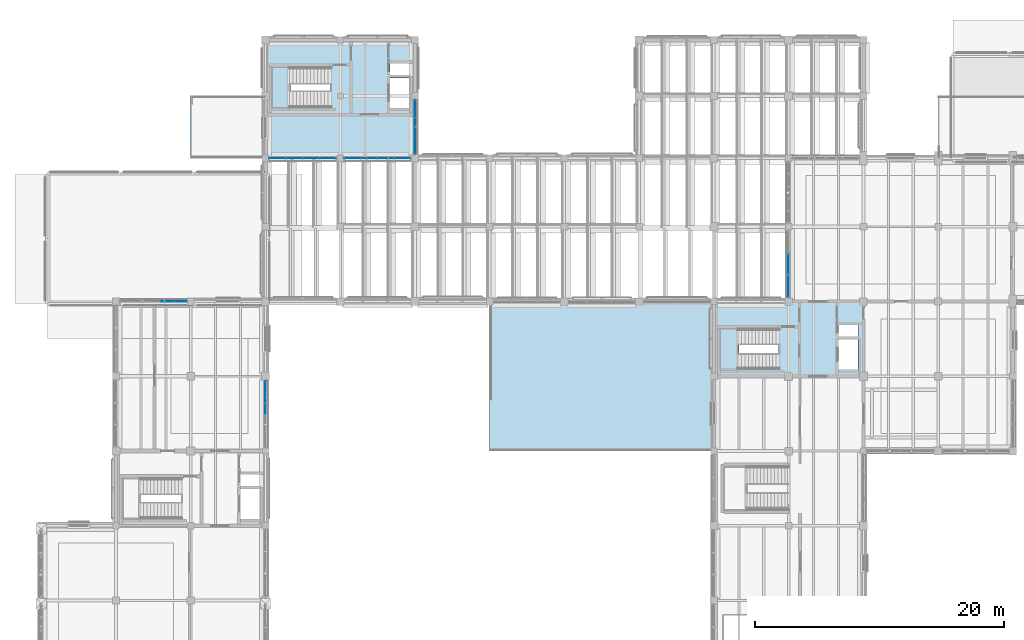
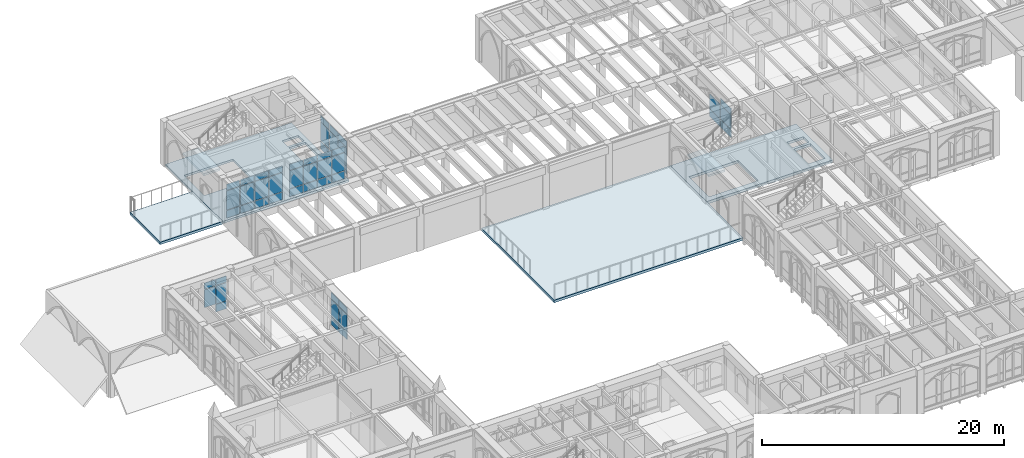
# One storey, part 68 of 127: 49 plates, 6 slabs, 8 elements without a shape of their own.
"""IFC4 building model written with IfcOpenShell, lengths in metres."""

from ifc_helpers import new_model, si_unit, direction, frame, origin, origin_2d, place, context, subcontext, project, spatial, polyline, rectangle, outline, extrude, material, layer, layer_set, type_object, element, aggregate, save


model = new_model("IFC4")

# Units and contexts
model_context = context("Model", 3, precision=1e-05, world=origin(), true_north=direction((0.0, 1.0)))
body_context = subcontext(model_context, "Body", "Model", "MODEL_VIEW")
ifc_project = project(units=[si_unit("LENGTHUNIT", "METRE"), si_unit("AREAUNIT", "SQUARE_METRE"), si_unit("VOLUMEUNIT", "CUBIC_METRE"), si_unit("PLANEANGLEUNIT", "RADIAN"), si_unit("MASSUNIT", "GRAM", prefix="KILO")], contexts=[model_context])

# Site, building, storey
site_placement = place(None, origin())
site = spatial("IfcSite", under=ifc_project, at=site_placement, CompositionType="ELEMENT")
building_placement = place(site_placement, origin())
building = spatial("IfcBuilding", under=site, at=building_placement, Name="Cumevento Cable Car Station", CompositionType="ELEMENT")
storey_placement = place(building_placement, frame((0.0, 0.0, 4.5)))
storey = spatial("IfcBuildingStorey", under=building, at=storey_placement, Name="L02", CompositionType="ELEMENT", Elevation=4.5)

# Slabs
ifc_material_1 = material(Name="Concrete C40/50", Category="concrete")
ifc_layer_1 = layer(ifc_material_1, 0.2119140625)
ifc_layer_set_1 = layer_set([ifc_layer_1], Name="Concrete C40/50")
slab_type_1 = type_object("IfcSlabType", Name="Concrete Deck FS-212 212", PredefinedType="FLOOR", material=ifc_layer_set_1)
slab_1_placement = place(storey_placement, frame((0.0, 0.0, -0.2119140625)))
element("IfcSlab", 1, at=slab_1_placement, inside=storey, type_object=slab_type_1, Name="Floor Slab FS-212 L02 B_V6d.1", PredefinedType="FLOOR", context=body_context, shape_type="SweptSolid", body=[
    extrude(outline(polyline([(22.0, 56.5), (34.0, 56.5), (34.0, 66.0), (22.0, 66.0), (22.0, 56.5)]), holes=[polyline([(32.010009765625, 60.5400390625), (33.580078125, 60.5400390625), (33.580078125, 62.9599609375), (32.010009765625, 62.9599609375), (32.010009765625, 60.5400390625)]), polyline([(22.52001953125, 60.52001953125), (27.199951171875, 60.52001953125), (27.199951171875, 63.85009765625), (22.52001953125, 63.85009765625), (22.52001953125, 60.52001953125)]), polyline([(32.010009765625, 63.199951171875), (33.580078125, 63.199951171875), (33.580078125, 64.10009765625), (32.010009765625, 64.10009765625), (32.010009765625, 63.199951171875)])]), origin(), (0.0, 0.0, 1.0), 0.2119140625),
])
ifc_material_2 = material(Name="Concrete C40/50", Category="concrete")
ifc_layer_2 = layer(ifc_material_2, 0.260009765625)
ifc_layer_set_2 = layer_set([ifc_layer_2], Name="Concrete C40/50")
slab_type_2 = type_object("IfcSlabType", Name="Concrete Deck FS-260 260", PredefinedType="FLOOR", material=ifc_layer_set_2)
slab_2_placement = place(storey_placement, frame((0.0, 0.0, -0.260009765625)))
element("IfcSlab", 2, at=slab_2_placement, inside=storey, type_object=slab_type_2, Name="Floor Slab FS-260 L02 B_V2c.1", PredefinedType="FLOOR", context=body_context, shape_type="SweptSolid", body=[
    extrude(outline(polyline([(58.0, 39.0), (70.0, 39.0), (70.0, 45.0), (58.0, 45.0), (58.0, 39.0)]), holes=[polyline([(68.010009765625, 39.5400390625), (69.580078125, 39.5400390625), (69.580078125, 41.9599609375), (68.010009765625, 41.9599609375), (68.010009765625, 39.5400390625)]), polyline([(58.52001953125, 39.52001953125), (63.199951171875, 39.52001953125), (63.199951171875, 42.85009765625), (58.52001953125, 42.85009765625), (58.52001953125, 39.52001953125)]), polyline([(68.010009765625, 42.199951171875), (69.580078125, 42.199951171875), (69.580078125, 43.10009765625), (68.010009765625, 43.10009765625), (68.010009765625, 42.199951171875)])]), origin(), (0.0, 0.0, 1.0), 0.260009765625),
])

# Curtain wall, plates
ifc_material_3 = material(Name="Anodised Bronze Aluminium AW-6063-T6", Category="aluminium")
ifc_layer_3 = layer(ifc_material_3, 0.2080078125)
ifc_layer_set_3 = layer_set([ifc_layer_3], Name="Anodised Bronze Aluminium AW-6063-T6")
curtain_wall_type_1 = type_object("IfcCurtainWallType", Name="Lancet Curtain Wall CW-09 1370", PredefinedType="NOTDEFINED", material=ifc_layer_set_3)
curtain_wall_1_placement = place(storey_placement, origin())
curtain_wall_1 = element("IfcCurtainWall", 3, at=curtain_wall_1_placement, inside=storey, type_object=curtain_wall_type_1, Name="Lancet Curtain Wall CW-09 L02 #56", PredefinedType="NOTDEFINED")
ifc_material_4 = material(Name="Solar Control Laminated Double Glazing", Category="glass")
ifc_layer_4 = layer(ifc_material_4, 0.02197265625)
ifc_layer_set_4 = layer_set([ifc_layer_4], Name="Solar Control Laminated Double Glazing")
plate_type_1 = type_object("IfcPlateType", Name="Glazed Panel CWP-01 22", PredefinedType="CURTAIN_PANEL", material=ifc_layer_set_4)
plate_1_placement = place(storey_placement, frame((27.0244140625, 56.5, 0.22509765625), z_axis=(0.0, 0.0, 1.0), x_axis=(-1.0, 0.0, 0.0)))
plate_1 = element("IfcPlate", 4, at=plate_1_placement, type_object=plate_type_1, Name="CW-09 panel 1.1", PredefinedType="CURTAIN_PANEL", context=body_context, shape_type="SweptSolid", body=[
    extrude(rectangle(XDim=1.271240234375, YDim=0.02197265625, at=origin_2d()), origin(), (0.0, 0.0, 1.0), 0.75244140625),
])
plate_2_placement = place(storey_placement, frame((27.0244140625, 56.5, 1.04248046875), z_axis=(0.0, 0.0, 1.0), x_axis=(-1.0, 0.0, 0.0)))
plate_2 = element("IfcPlate", 5, at=plate_2_placement, type_object=plate_type_1, Name="CW-09 panel 1.2", PredefinedType="CURTAIN_PANEL", context=body_context, shape_type="SweptSolid", body=[
    extrude(rectangle(XDim=1.271240234375, YDim=0.02197265625, at=origin_2d()), origin(), (0.0, 0.0, 1.0), 1.912109375),
])
plate_3_placement = place(storey_placement, frame((27.0244140625, 56.5, 3.01953125), z_axis=(0.0, 0.0, 1.0), x_axis=(-1.0, 0.0, 0.0)))
plate_3 = element("IfcPlate", 6, at=plate_3_placement, type_object=plate_type_1, Name="CW-09 panel 1.3", PredefinedType="CURTAIN_PANEL", context=body_context, shape_type="SweptSolid", body=[
    extrude(rectangle(XDim=1.271240234375, YDim=0.02197265625, at=origin_2d()), origin(), (0.0, 0.0, 1.0), 0.6025390625),
])
plate_4_placement = place(storey_placement, frame((25.671875, 56.5, 0.22509765625), z_axis=(0.0, 0.0, 1.0), x_axis=(-1.0, 0.0, 0.0)))
plate_4 = element("IfcPlate", 7, at=plate_4_placement, type_object=plate_type_1, Name="CW-09 panel 2.1", PredefinedType="CURTAIN_PANEL", context=body_context, shape_type="SweptSolid", body=[
    extrude(rectangle(XDim=1.3037109375, YDim=0.02197265625, at=origin_2d()), origin(), (0.0, 0.0, 1.0), 0.75244140625),
])
plate_5_placement = place(storey_placement, frame((25.671875, 56.5, 1.04248046875), z_axis=(0.0, 0.0, 1.0), x_axis=(-1.0, 0.0, 0.0)))
plate_5 = element("IfcPlate", 8, at=plate_5_placement, type_object=plate_type_1, Name="CW-09 panel 2.2", PredefinedType="CURTAIN_PANEL", context=body_context, shape_type="SweptSolid", body=[
    extrude(rectangle(XDim=1.3037109375, YDim=0.02197265625, at=origin_2d()), origin(), (0.0, 0.0, 1.0), 1.912109375),
])
plate_6_placement = place(storey_placement, frame((25.671875, 56.5, 3.01953125), z_axis=(0.0, 0.0, 1.0), x_axis=(-1.0, 0.0, 0.0)))
plate_6 = element("IfcPlate", 9, at=plate_6_placement, type_object=plate_type_1, Name="CW-09 panel 2.3", PredefinedType="CURTAIN_PANEL", context=body_context, shape_type="SweptSolid", body=[
    extrude(rectangle(XDim=1.3037109375, YDim=0.02197265625, at=origin_2d()), origin(), (0.0, 0.0, 1.0), 0.6025390625),
])
plate_7_placement = place(storey_placement, frame((24.30322265625, 56.5, 0.22509765625), z_axis=(0.0, 0.0, 1.0), x_axis=(-1.0, 0.0, 0.0)))
plate_7 = element("IfcPlate", 10, at=plate_7_placement, type_object=plate_type_1, Name="CW-09 panel 3.1", PredefinedType="CURTAIN_PANEL", context=body_context, shape_type="SweptSolid", body=[
    extrude(rectangle(XDim=1.3037109375, YDim=0.02197265625, at=origin_2d()), origin(), (0.0, 0.0, 1.0), 0.75244140625),
])
plate_8_placement = place(storey_placement, frame((24.30322265625, 56.5, 1.04248046875), z_axis=(0.0, 0.0, 1.0), x_axis=(-1.0, 0.0, 0.0)))
plate_8 = element("IfcPlate", 11, at=plate_8_placement, type_object=plate_type_1, Name="CW-09 panel 3.2", PredefinedType="CURTAIN_PANEL", context=body_context, shape_type="SweptSolid", body=[
    extrude(rectangle(XDim=1.3037109375, YDim=0.02197265625, at=origin_2d()), origin(), (0.0, 0.0, 1.0), 1.912109375),
])
plate_9_placement = place(storey_placement, frame((24.30322265625, 56.5, 3.01953125), z_axis=(0.0, 0.0, 1.0), x_axis=(-1.0, 0.0, 0.0)))
plate_9 = element("IfcPlate", 12, at=plate_9_placement, type_object=plate_type_1, Name="CW-09 panel 3.3", PredefinedType="CURTAIN_PANEL", context=body_context, shape_type="SweptSolid", body=[
    extrude(rectangle(XDim=1.3037109375, YDim=0.02197265625, at=origin_2d()), origin(), (0.0, 0.0, 1.0), 0.6025390625),
])
plate_10_placement = place(storey_placement, frame((22.95068359375, 56.5, 0.22509765625), z_axis=(0.0, 0.0, 1.0), x_axis=(-1.0, 0.0, 0.0)))
plate_10 = element("IfcPlate", 13, at=plate_10_placement, type_object=plate_type_1, Name="CW-09 panel 4.1", PredefinedType="CURTAIN_PANEL", context=body_context, shape_type="SweptSolid", body=[
    extrude(rectangle(XDim=1.271240234375, YDim=0.02197265625, at=origin_2d()), origin(), (0.0, 0.0, 1.0), 0.75244140625),
])
plate_11_placement = place(storey_placement, frame((22.95068359375, 56.5, 1.04248046875), z_axis=(0.0, 0.0, 1.0), x_axis=(-1.0, 0.0, 0.0)))
plate_11 = element("IfcPlate", 14, at=plate_11_placement, type_object=plate_type_1, Name="CW-09 panel 4.2", PredefinedType="CURTAIN_PANEL", context=body_context, shape_type="SweptSolid", body=[
    extrude(rectangle(XDim=1.271240234375, YDim=0.02197265625, at=origin_2d()), origin(), (0.0, 0.0, 1.0), 1.912109375),
])
plate_12_placement = place(storey_placement, frame((22.95068359375, 56.5, 3.01953125), z_axis=(0.0, 0.0, 1.0), x_axis=(-1.0, 0.0, 0.0)))
plate_12 = element("IfcPlate", 15, at=plate_12_placement, type_object=plate_type_1, Name="CW-09 panel 4.3", PredefinedType="CURTAIN_PANEL", context=body_context, shape_type="SweptSolid", body=[
    extrude(rectangle(XDim=1.271240234375, YDim=0.02197265625, at=origin_2d()), origin(), (0.0, 0.0, 1.0), 0.6025390625),
])
aggregate(curtain_wall_1, [plate_1, plate_2, plate_3, plate_4, plate_5, plate_6, plate_7, plate_8, plate_9, plate_10, plate_11, plate_12])

ifc_material_5 = material(Name="Anodised Bronze Aluminium AW-6063-T6", Category="aluminium")
ifc_layer_5 = layer(ifc_material_5, 0.214111328125)
ifc_layer_set_5 = layer_set([ifc_layer_5], Name="Anodised Bronze Aluminium AW-6063-T6")
curtain_wall_type_2 = type_object("IfcCurtainWallType", Name="Lancet Curtain Wall CW-10 1410", PredefinedType="NOTDEFINED", material=ifc_layer_set_5)
curtain_wall_2_placement = place(storey_placement, origin())
curtain_wall_2 = element("IfcCurtainWall", 16, at=curtain_wall_2_placement, inside=storey, type_object=curtain_wall_type_2, Name="Lancet Curtain Wall CW-10 L02 #57", PredefinedType="NOTDEFINED")
ifc_material_6 = material(Name="Solar Control Laminated Double Glazing", Category="glass")
ifc_layer_6 = layer(ifc_material_6, 0.02587890625)
ifc_layer_set_6 = layer_set([ifc_layer_6], Name="Solar Control Laminated Double Glazing")
plate_type_2 = type_object("IfcPlateType", Name="Glazed Panel CWP-02 26", PredefinedType="CURTAIN_PANEL", material=ifc_layer_set_6)
plate_13_placement = place(storey_placement, frame((33.005615234375, 56.5, 0.275146484375), z_axis=(0.0, 0.0, 1.0), x_axis=(-1.0, 0.0, 0.0)))
plate_13 = element("IfcPlate", 17, at=plate_13_placement, type_object=plate_type_2, Name="CW-10 panel 1.1", PredefinedType="CURTAIN_PANEL", context=body_context, shape_type="SweptSolid", body=[
    extrude(rectangle(XDim=1.2587890625, YDim=0.02587890625, at=origin_2d()), origin(), (0.0, 0.0, 1.0), 0.75244140625),
])
plate_14_placement = place(storey_placement, frame((33.005615234375, 56.5, 1.0927734375), z_axis=(0.0, 0.0, 1.0), x_axis=(-1.0, 0.0, 0.0)))
plate_14 = element("IfcPlate", 18, at=plate_14_placement, type_object=plate_type_2, Name="CW-10 panel 1.2", PredefinedType="CURTAIN_PANEL", context=body_context, shape_type="SweptSolid", body=[
    extrude(rectangle(XDim=1.2587890625, YDim=0.02587890625, at=origin_2d()), origin(), (0.0, 0.0, 1.0), 1.785888671875),
])
plate_15_placement = place(storey_placement, frame((33.005615234375, 56.5, 2.943359375), z_axis=(0.0, 0.0, 1.0), x_axis=(-1.0, 0.0, 0.0)))
plate_15 = element("IfcPlate", 19, at=plate_15_placement, type_object=plate_type_2, Name="CW-10 panel 1.3", PredefinedType="CURTAIN_PANEL", context=body_context, shape_type="SweptSolid", body=[
    extrude(rectangle(XDim=1.2587890625, YDim=0.02587890625, at=origin_2d()), origin(), (0.0, 0.0, 1.0), 0.6025390625),
])
plate_16_placement = place(storey_placement, frame((31.66552734375, 56.5, 0.275146484375), z_axis=(0.0, 0.0, 1.0), x_axis=(-1.0, 0.0, 0.0)))
plate_16 = element("IfcPlate", 20, at=plate_16_placement, type_object=plate_type_2, Name="CW-10 panel 2.1", PredefinedType="CURTAIN_PANEL", context=body_context, shape_type="SweptSolid", body=[
    extrude(rectangle(XDim=1.291259765625, YDim=0.02587890625, at=origin_2d()), origin(), (0.0, 0.0, 1.0), 0.75244140625),
])
plate_17_placement = place(storey_placement, frame((31.66552734375, 56.5, 1.0927734375), z_axis=(0.0, 0.0, 1.0), x_axis=(-1.0, 0.0, 0.0)))
plate_17 = element("IfcPlate", 21, at=plate_17_placement, type_object=plate_type_2, Name="CW-10 panel 2.2", PredefinedType="CURTAIN_PANEL", context=body_context, shape_type="SweptSolid", body=[
    extrude(rectangle(XDim=1.291259765625, YDim=0.02587890625, at=origin_2d()), origin(), (0.0, 0.0, 1.0), 1.785888671875),
])
plate_18_placement = place(storey_placement, frame((31.66552734375, 56.5, 2.943359375), z_axis=(0.0, 0.0, 1.0), x_axis=(-1.0, 0.0, 0.0)))
plate_18 = element("IfcPlate", 22, at=plate_18_placement, type_object=plate_type_2, Name="CW-10 panel 2.3", PredefinedType="CURTAIN_PANEL", context=body_context, shape_type="SweptSolid", body=[
    extrude(rectangle(XDim=1.291259765625, YDim=0.02587890625, at=origin_2d()), origin(), (0.0, 0.0, 1.0), 0.6025390625),
])
plate_19_placement = place(storey_placement, frame((30.309326171875, 56.5, 0.275146484375), z_axis=(0.0, 0.0, 1.0), x_axis=(-1.0, 0.0, 0.0)))
plate_19 = element("IfcPlate", 23, at=plate_19_placement, type_object=plate_type_2, Name="CW-10 panel 3.1", PredefinedType="CURTAIN_PANEL", context=body_context, shape_type="SweptSolid", body=[
    extrude(rectangle(XDim=1.291259765625, YDim=0.02587890625, at=origin_2d()), origin(), (0.0, 0.0, 1.0), 0.75244140625),
])
plate_20_placement = place(storey_placement, frame((30.309326171875, 56.5, 1.0927734375), z_axis=(0.0, 0.0, 1.0), x_axis=(-1.0, 0.0, 0.0)))
plate_20 = element("IfcPlate", 24, at=plate_20_placement, type_object=plate_type_2, Name="CW-10 panel 3.2", PredefinedType="CURTAIN_PANEL", context=body_context, shape_type="SweptSolid", body=[
    extrude(rectangle(XDim=1.291259765625, YDim=0.02587890625, at=origin_2d()), origin(), (0.0, 0.0, 1.0), 1.785888671875),
])
plate_21_placement = place(storey_placement, frame((30.309326171875, 56.5, 2.943359375), z_axis=(0.0, 0.0, 1.0), x_axis=(-1.0, 0.0, 0.0)))
plate_21 = element("IfcPlate", 25, at=plate_21_placement, type_object=plate_type_2, Name="CW-10 panel 3.3", PredefinedType="CURTAIN_PANEL", context=body_context, shape_type="SweptSolid", body=[
    extrude(rectangle(XDim=1.291259765625, YDim=0.02587890625, at=origin_2d()), origin(), (0.0, 0.0, 1.0), 0.6025390625),
])
plate_22_placement = place(storey_placement, frame((28.969482421875, 56.5, 0.275146484375), z_axis=(0.0, 0.0, 1.0), x_axis=(-1.0, 0.0, 0.0)))
plate_22 = element("IfcPlate", 26, at=plate_22_placement, type_object=plate_type_2, Name="CW-10 panel 4.1", PredefinedType="CURTAIN_PANEL", context=body_context, shape_type="SweptSolid", body=[
    extrude(rectangle(XDim=1.2587890625, YDim=0.02587890625, at=origin_2d()), origin(), (0.0, 0.0, 1.0), 0.75244140625),
])
plate_23_placement = place(storey_placement, frame((28.969482421875, 56.5, 1.0927734375), z_axis=(0.0, 0.0, 1.0), x_axis=(-1.0, 0.0, 0.0)))
plate_23 = element("IfcPlate", 27, at=plate_23_placement, type_object=plate_type_2, Name="CW-10 panel 4.2", PredefinedType="CURTAIN_PANEL", context=body_context, shape_type="SweptSolid", body=[
    extrude(rectangle(XDim=1.2587890625, YDim=0.02587890625, at=origin_2d()), origin(), (0.0, 0.0, 1.0), 1.785888671875),
])
plate_24_placement = place(storey_placement, frame((28.969482421875, 56.5, 2.943359375), z_axis=(0.0, 0.0, 1.0), x_axis=(-1.0, 0.0, 0.0)))
plate_24 = element("IfcPlate", 28, at=plate_24_placement, type_object=plate_type_2, Name="CW-10 panel 4.3", PredefinedType="CURTAIN_PANEL", context=body_context, shape_type="SweptSolid", body=[
    extrude(rectangle(XDim=1.2587890625, YDim=0.02587890625, at=origin_2d()), origin(), (0.0, 0.0, 1.0), 0.6025390625),
])
aggregate(curtain_wall_2, [plate_13, plate_14, plate_15, plate_16, plate_17, plate_18, plate_19, plate_20, plate_21, plate_22, plate_23, plate_24])

ifc_material_7 = material(Name="Anodised Bronze Aluminium AW-6063-T6", Category="aluminium")
ifc_layer_7 = layer(ifc_material_7, 0.219970703125)
ifc_layer_set_7 = layer_set([ifc_layer_7], Name="Anodised Bronze Aluminium AW-6063-T6")
curtain_wall_type_3 = type_object("IfcCurtainWallType", Name="Lancet Curtain Wall CW-11 1450", PredefinedType="NOTDEFINED", material=ifc_layer_set_7)
curtain_wall_3_placement = place(storey_placement, origin())
curtain_wall_3 = element("IfcCurtainWall", 29, at=curtain_wall_3_placement, inside=storey, type_object=curtain_wall_type_3, Name="Lancet Curtain Wall CW-11 L02 #58", PredefinedType="NOTDEFINED")
ifc_material_8 = material(Name="Solar Control Laminated Double Glazing", Category="glass")
ifc_layer_8 = layer(ifc_material_8, 0.030029296875)
ifc_layer_set_8 = layer_set([ifc_layer_8], Name="Solar Control Laminated Double Glazing")
plate_type_3 = type_object("IfcPlateType", Name="Glazed Panel CWP-03 30", PredefinedType="CURTAIN_PANEL", material=ifc_layer_set_8)
plate_25_placement = place(storey_placement, frame((34.0, 60.47119140625, 0.324951171875), z_axis=(0.0, 0.0, 1.0), x_axis=(0.0, -1.0, 0.0)))
plate_25 = element("IfcPlate", 30, at=plate_25_placement, type_object=plate_type_3, Name="CW-11 panel 1.1", PredefinedType="CURTAIN_PANEL", context=body_context, shape_type="SweptSolid", body=[
    extrude(rectangle(XDim=1.37744140625, YDim=0.030029296875, at=origin_2d()), origin(), (0.0, 0.0, 1.0), 0.75244140625),
])
plate_26_placement = place(storey_placement, frame((34.0, 60.47119140625, 1.142578125), z_axis=(0.0, 0.0, 1.0), x_axis=(0.0, -1.0, 0.0)))
plate_26 = element("IfcPlate", 31, at=plate_26_placement, type_object=plate_type_3, Name="CW-11 panel 1.2", PredefinedType="CURTAIN_PANEL", context=body_context, shape_type="SweptSolid", body=[
    extrude(rectangle(XDim=1.37744140625, YDim=0.030029296875, at=origin_2d()), origin(), (0.0, 0.0, 1.0), 1.867919921875),
])
plate_27_placement = place(storey_placement, frame((34.0, 60.47119140625, 3.075439453125), z_axis=(0.0, 0.0, 1.0), x_axis=(0.0, -1.0, 0.0)))
plate_27 = element("IfcPlate", 32, at=plate_27_placement, type_object=plate_type_3, Name="CW-11 panel 1.3", PredefinedType="CURTAIN_PANEL", context=body_context, shape_type="SweptSolid", body=[
    extrude(rectangle(XDim=1.37744140625, YDim=0.030029296875, at=origin_2d()), origin(), (0.0, 0.0, 1.0), 0.6025390625),
])
plate_28_placement = place(storey_placement, frame((34.0, 59.012451171875, 0.324951171875), z_axis=(0.0, 0.0, 1.0), x_axis=(0.0, -1.0, 0.0)))
plate_28 = element("IfcPlate", 33, at=plate_28_placement, type_object=plate_type_3, Name="CW-11 panel 2.1", PredefinedType="CURTAIN_PANEL", context=body_context, shape_type="SweptSolid", body=[
    extrude(rectangle(XDim=1.409912109375, YDim=0.030029296875, at=origin_2d()), origin(), (0.0, 0.0, 1.0), 0.75244140625),
])
plate_29_placement = place(storey_placement, frame((34.0, 59.012451171875, 1.142578125), z_axis=(0.0, 0.0, 1.0), x_axis=(0.0, -1.0, 0.0)))
plate_29 = element("IfcPlate", 34, at=plate_29_placement, type_object=plate_type_3, Name="CW-11 panel 2.2", PredefinedType="CURTAIN_PANEL", context=body_context, shape_type="SweptSolid", body=[
    extrude(rectangle(XDim=1.409912109375, YDim=0.030029296875, at=origin_2d()), origin(), (0.0, 0.0, 1.0), 1.867919921875),
])
plate_30_placement = place(storey_placement, frame((34.0, 59.012451171875, 3.075439453125), z_axis=(0.0, 0.0, 1.0), x_axis=(0.0, -1.0, 0.0)))
plate_30 = element("IfcPlate", 35, at=plate_30_placement, type_object=plate_type_3, Name="CW-11 panel 2.3", PredefinedType="CURTAIN_PANEL", context=body_context, shape_type="SweptSolid", body=[
    extrude(rectangle(XDim=1.409912109375, YDim=0.030029296875, at=origin_2d()), origin(), (0.0, 0.0, 1.0), 0.6025390625),
])
plate_31_placement = place(storey_placement, frame((34.0, 57.5537109375, 0.324951171875), z_axis=(0.0, 0.0, 1.0), x_axis=(0.0, -1.0, 0.0)))
plate_31 = element("IfcPlate", 36, at=plate_31_placement, type_object=plate_type_3, Name="CW-11 panel 3.1", PredefinedType="CURTAIN_PANEL", context=body_context, shape_type="SweptSolid", body=[
    extrude(rectangle(XDim=1.37744140625, YDim=0.030029296875, at=origin_2d()), origin(), (0.0, 0.0, 1.0), 0.75244140625),
])
plate_32_placement = place(storey_placement, frame((34.0, 57.5537109375, 1.142578125), z_axis=(0.0, 0.0, 1.0), x_axis=(0.0, -1.0, 0.0)))
plate_32 = element("IfcPlate", 37, at=plate_32_placement, type_object=plate_type_3, Name="CW-11 panel 3.2", PredefinedType="CURTAIN_PANEL", context=body_context, shape_type="SweptSolid", body=[
    extrude(rectangle(XDim=1.37744140625, YDim=0.030029296875, at=origin_2d()), origin(), (0.0, 0.0, 1.0), 1.867919921875),
])
plate_33_placement = place(storey_placement, frame((34.0, 57.5537109375, 3.075439453125), z_axis=(0.0, 0.0, 1.0), x_axis=(0.0, -1.0, 0.0)))
plate_33 = element("IfcPlate", 38, at=plate_33_placement, type_object=plate_type_3, Name="CW-11 panel 3.3", PredefinedType="CURTAIN_PANEL", context=body_context, shape_type="SweptSolid", body=[
    extrude(rectangle(XDim=1.37744140625, YDim=0.030029296875, at=origin_2d()), origin(), (0.0, 0.0, 1.0), 0.6025390625),
])
aggregate(curtain_wall_3, [plate_25, plate_26, plate_27, plate_28, plate_29, plate_30, plate_31, plate_32, plate_33])

ifc_material_9 = material(Name="Anodised Bronze Aluminium AW-6063-T6", Category="aluminium")
ifc_layer_9 = layer(ifc_material_9, 0.243896484375)
ifc_layer_set_9 = layer_set([ifc_layer_9], Name="Anodised Bronze Aluminium AW-6063-T6")
curtain_wall_type_4 = type_object("IfcCurtainWallType", Name="Lancet Curtain Wall CW-15 1610", PredefinedType="NOTDEFINED", material=ifc_layer_set_9)
curtain_wall_4_placement = place(storey_placement, origin())
curtain_wall_4 = element("IfcCurtainWall", 39, at=curtain_wall_4_placement, inside=storey, type_object=curtain_wall_type_4, Name="Lancet Curtain Wall CW-15 L02 #62", PredefinedType="NOTDEFINED")
ifc_material_10 = material(Name="Solar Control Laminated Double Glazing", Category="glass")
ifc_layer_10 = layer(ifc_material_10, 0.0458984375)
ifc_layer_set_10 = layer_set([ifc_layer_10], Name="Solar Control Laminated Double Glazing")
plate_type_4 = type_object("IfcPlateType", Name="Glazed Panel CWP-07 46", PredefinedType="CURTAIN_PANEL", material=ifc_layer_set_10)
plate_34_placement = place(storey_placement, frame((64.0, 46.220458984375, 0.525146484375), z_axis=(0.0, 0.0, 1.0), x_axis=(0.0, 1.0, 0.0)))
plate_34 = element("IfcPlate", 40, at=plate_34_placement, type_object=plate_type_4, Name="CW-15 panel 1.1", PredefinedType="CURTAIN_PANEL", context=body_context, shape_type="SweptSolid", body=[
    extrude(rectangle(XDim=1.7109375, YDim=0.0458984375, at=origin_2d()), origin(), (0.0, 0.0, 1.0), 0.75244140625),
])
plate_35_placement = place(storey_placement, frame((64.0, 46.220458984375, 1.34228515625), z_axis=(0.0, 0.0, 1.0), x_axis=(0.0, 1.0, 0.0)))
plate_35 = element("IfcPlate", 41, at=plate_35_placement, type_object=plate_type_4, Name="CW-15 panel 1.2", PredefinedType="CURTAIN_PANEL", context=body_context, shape_type="SweptSolid", body=[
    extrude(rectangle(XDim=1.7109375, YDim=0.0458984375, at=origin_2d()), origin(), (0.0, 0.0, 1.0), 1.427001953125),
])
plate_36_placement = place(storey_placement, frame((64.0, 46.220458984375, 2.83447265625), z_axis=(0.0, 0.0, 1.0), x_axis=(0.0, 1.0, 0.0)))
plate_36 = element("IfcPlate", 42, at=plate_36_placement, type_object=plate_type_4, Name="CW-15 panel 1.3", PredefinedType="CURTAIN_PANEL", context=body_context, shape_type="SweptSolid", body=[
    extrude(rectangle(XDim=1.7109375, YDim=0.0458984375, at=origin_2d()), origin(), (0.0, 0.0, 1.0), 0.6025390625),
])
plate_37_placement = place(storey_placement, frame((64.0, 48.012451171875, 0.525146484375), z_axis=(0.0, 0.0, 1.0), x_axis=(0.0, 1.0, 0.0)))
plate_37 = element("IfcPlate", 43, at=plate_37_placement, type_object=plate_type_4, Name="CW-15 panel 2.1", PredefinedType="CURTAIN_PANEL", context=body_context, shape_type="SweptSolid", body=[
    extrude(rectangle(XDim=1.743408203125, YDim=0.0458984375, at=origin_2d()), origin(), (0.0, 0.0, 1.0), 0.75244140625),
])
plate_38_placement = place(storey_placement, frame((64.0, 48.012451171875, 1.34228515625), z_axis=(0.0, 0.0, 1.0), x_axis=(0.0, 1.0, 0.0)))
plate_38 = element("IfcPlate", 44, at=plate_38_placement, type_object=plate_type_4, Name="CW-15 panel 2.2", PredefinedType="CURTAIN_PANEL", context=body_context, shape_type="SweptSolid", body=[
    extrude(rectangle(XDim=1.743408203125, YDim=0.0458984375, at=origin_2d()), origin(), (0.0, 0.0, 1.0), 1.427001953125),
])
aggregate(curtain_wall_4, [plate_34, plate_35, plate_36, plate_37, plate_38])

ifc_material_11 = material(Name="Anodised Bronze Aluminium AW-6063-T6", Category="aluminium")
ifc_layer_11 = layer(ifc_material_11, 0.18408203125)
ifc_layer_set_11 = layer_set([ifc_layer_11], Name="Anodised Bronze Aluminium AW-6063-T6")
curtain_wall_type_5 = type_object("IfcCurtainWallType", Name="Lancet Curtain Wall CW-05 1210", PredefinedType="NOTDEFINED", material=ifc_layer_set_11)
curtain_wall_5_placement = place(storey_placement, origin())
curtain_wall_5 = element("IfcCurtainWall", 45, at=curtain_wall_5_placement, inside=storey, type_object=curtain_wall_type_5, Name="Lancet Curtain Wall CW-05 L02 #52", PredefinedType="NOTDEFINED")
ifc_material_12 = material(Name="Insulated Bronze Aluminium Spandrel Panel", Category="aluminium")
ifc_layer_12 = layer(ifc_material_12, 0.06591796875)
ifc_layer_set_12 = layer_set([ifc_layer_12], Name="Insulated Bronze Aluminium Spandrel Panel")
plate_type_5 = type_object("IfcPlateType", Name="Spandrel Panel CWP-11 66", PredefinedType="CURTAIN_PANEL", material=ifc_layer_set_12)
plate_39_placement = place(storey_placement, frame((14.090087890625, 45.0, 1.24267578125), z_axis=(0.0, 0.0, 1.0), x_axis=(1.0, 0.0, 0.0)))
plate_39 = element("IfcPlate", 46, at=plate_39_placement, type_object=plate_type_5, Name="CW-05 panel 4.2", PredefinedType="CURTAIN_PANEL", context=body_context, shape_type="SweptSolid", body=[
    extrude(rectangle(XDim=1.02490234375, YDim=0.06591796875, at=origin_2d()), origin(), (0.0, 0.0, 1.0), 1.802978515625),
])
plate_40_placement = place(storey_placement, frame((14.090087890625, 45.0, 3.110595703125), z_axis=(0.0, 0.0, 1.0), x_axis=(1.0, 0.0, 0.0)))
plate_40 = element("IfcPlate", 47, at=plate_40_placement, type_object=plate_type_5, Name="CW-05 panel 4.3", PredefinedType="CURTAIN_PANEL", context=body_context, shape_type="SweptSolid", body=[
    extrude(rectangle(XDim=1.02490234375, YDim=0.06591796875, at=origin_2d()), origin(), (0.0, 0.0, 1.0), 0.6025390625),
])
plate_41_placement = place(storey_placement, frame((15.163818359375, 45.0, 0.425048828125), z_axis=(0.0, 0.0, 1.0), x_axis=(1.0, 0.0, 0.0)))
plate_41 = element("IfcPlate", 48, at=plate_41_placement, type_object=plate_type_5, Name="CW-05 panel 5.1", PredefinedType="CURTAIN_PANEL", context=body_context, shape_type="SweptSolid", body=[
    extrude(rectangle(XDim=0.992431640625, YDim=0.06591796875, at=origin_2d()), origin(), (0.0, 0.0, 1.0), 0.75244140625),
])
plate_42_placement = place(storey_placement, frame((15.163818359375, 45.0, 1.24267578125), z_axis=(0.0, 0.0, 1.0), x_axis=(1.0, 0.0, 0.0)))
plate_42 = element("IfcPlate", 49, at=plate_42_placement, type_object=plate_type_5, Name="CW-05 panel 5.2", PredefinedType="CURTAIN_PANEL", context=body_context, shape_type="SweptSolid", body=[
    extrude(rectangle(XDim=0.992431640625, YDim=0.06591796875, at=origin_2d()), origin(), (0.0, 0.0, 1.0), 1.802978515625),
])
plate_43_placement = place(storey_placement, frame((15.163818359375, 45.0, 3.110595703125), z_axis=(0.0, 0.0, 1.0), x_axis=(1.0, 0.0, 0.0)))
plate_43 = element("IfcPlate", 50, at=plate_43_placement, type_object=plate_type_5, Name="CW-05 panel 5.3", PredefinedType="CURTAIN_PANEL", context=body_context, shape_type="SweptSolid", body=[
    extrude(rectangle(XDim=0.992431640625, YDim=0.06591796875, at=origin_2d()), origin(), (0.0, 0.0, 1.0), 0.6025390625),
])
aggregate(curtain_wall_5, [plate_39, plate_40, plate_41, plate_42, plate_43])

ifc_material_13 = material(Name="Anodised Bronze Aluminium AW-6063-T6", Category="aluminium")
ifc_layer_13 = layer(ifc_material_13, 0.196044921875)
ifc_layer_set_13 = layer_set([ifc_layer_13], Name="Anodised Bronze Aluminium AW-6063-T6")
curtain_wall_type_6 = type_object("IfcCurtainWallType", Name="Lancet Curtain Wall CW-07 1290", PredefinedType="NOTDEFINED", material=ifc_layer_set_13)
curtain_wall_6_placement = place(storey_placement, origin())
curtain_wall_6 = element("IfcCurtainWall", 51, at=curtain_wall_6_placement, inside=storey, type_object=curtain_wall_type_6, Name="Lancet Curtain Wall CW-07 L02 #54", PredefinedType="NOTDEFINED")
ifc_material_14 = material(Name="Insulated Bronze Aluminium Spandrel Panel", Category="aluminium")
ifc_layer_14 = layer(ifc_material_14, 0.077880859375)
ifc_layer_set_14 = layer_set([ifc_layer_14], Name="Insulated Bronze Aluminium Spandrel Panel")
plate_type_6 = type_object("IfcPlateType", Name="Spandrel Panel CWP-13 78", PredefinedType="CURTAIN_PANEL", material=ifc_layer_set_14)
plate_44_placement = place(storey_placement, frame((22.0, 37.980712890625, 0.525146484375), z_axis=(0.0, 0.0, 1.0), x_axis=(0.0, -1.0, 0.0)))
plate_44 = element("IfcPlate", 52, at=plate_44_placement, type_object=plate_type_6, Name="CW-07 panel 1.1", PredefinedType="CURTAIN_PANEL", context=body_context, shape_type="SweptSolid", body=[
    extrude(rectangle(XDim=1.2587890625, YDim=0.077880859375, at=origin_2d()), origin(), (0.0, 0.0, 1.0), 0.75244140625),
])
plate_45_placement = place(storey_placement, frame((22.0, 37.980712890625, 1.3427734375), z_axis=(0.0, 0.0, 1.0), x_axis=(0.0, -1.0, 0.0)))
plate_45 = element("IfcPlate", 53, at=plate_45_placement, type_object=plate_type_6, Name="CW-07 panel 1.2", PredefinedType="CURTAIN_PANEL", context=body_context, shape_type="SweptSolid", body=[
    extrude(rectangle(XDim=1.2587890625, YDim=0.077880859375, at=origin_2d()), origin(), (0.0, 0.0, 1.0), 1.702880859375),
])
plate_46_placement = place(storey_placement, frame((22.0, 37.980712890625, 3.110595703125), z_axis=(0.0, 0.0, 1.0), x_axis=(0.0, -1.0, 0.0)))
plate_46 = element("IfcPlate", 54, at=plate_46_placement, type_object=plate_type_6, Name="CW-07 panel 1.3", PredefinedType="CURTAIN_PANEL", context=body_context, shape_type="SweptSolid", body=[
    extrude(rectangle(XDim=1.2587890625, YDim=0.077880859375, at=origin_2d()), origin(), (0.0, 0.0, 1.0), 0.6025390625),
])
plate_47_placement = place(storey_placement, frame((22.0, 36.640625, 0.525146484375), z_axis=(0.0, 0.0, 1.0), x_axis=(0.0, -1.0, 0.0)))
plate_47 = element("IfcPlate", 55, at=plate_47_placement, type_object=plate_type_6, Name="CW-07 panel 2.1", PredefinedType="CURTAIN_PANEL", context=body_context, shape_type="SweptSolid", body=[
    extrude(rectangle(XDim=1.291259765625, YDim=0.077880859375, at=origin_2d()), origin(), (0.0, 0.0, 1.0), 0.75244140625),
])
plate_48_placement = place(storey_placement, frame((22.0, 36.640625, 1.3427734375), z_axis=(0.0, 0.0, 1.0), x_axis=(0.0, -1.0, 0.0)))
plate_48 = element("IfcPlate", 56, at=plate_48_placement, type_object=plate_type_6, Name="CW-07 panel 2.2", PredefinedType="CURTAIN_PANEL", context=body_context, shape_type="SweptSolid", body=[
    extrude(rectangle(XDim=1.291259765625, YDim=0.077880859375, at=origin_2d()), origin(), (0.0, 0.0, 1.0), 1.702880859375),
])
plate_49_placement = place(storey_placement, frame((22.0, 36.640625, 3.110595703125), z_axis=(0.0, 0.0, 1.0), x_axis=(0.0, -1.0, 0.0)))
plate_49 = element("IfcPlate", 57, at=plate_49_placement, type_object=plate_type_6, Name="CW-07 panel 2.3", PredefinedType="CURTAIN_PANEL", context=body_context, shape_type="SweptSolid", body=[
    extrude(rectangle(XDim=1.291259765625, YDim=0.077880859375, at=origin_2d()), origin(), (0.0, 0.0, 1.0), 0.6025390625),
])
aggregate(curtain_wall_6, [plate_44, plate_45, plate_46, plate_47, plate_48, plate_49])

# Stair, slab
ifc_material_15 = material(Name="Concrete C40/50", Category="concrete")
stair_type_1 = type_object("IfcStairType", Name="Half-Turn Stair ST-T02 1290", PredefinedType="HALF_TURN_STAIR", material=ifc_material_15)
stair_1_placement = place(storey_placement, origin())
stair_1 = element("IfcStair", 58, at=stair_1_placement, inside=storey, type_object=stair_type_1, Name="Enclosed Exit Stair ST-01 (L02 to L03)", PredefinedType="HALF_TURN_STAIR")
ifc_material_16 = material(Name="Concrete C40/50", Category="concrete")
ifc_layer_15 = layer(ifc_material_16, 0.19091796875)
ifc_layer_set_15 = layer_set([ifc_layer_15], Name="Concrete C40/50")
slab_type_3 = type_object("IfcSlabType", Name="Stair Landing STL-T02 191", PredefinedType="LANDING", material=ifc_layer_set_15)
slab_3_placement = place(storey_placement, frame((0.0, 0.0, 2.05908203125)))
slab_3 = element("IfcSlab", 59, at=slab_3_placement, type_object=slab_type_3, Name="ST-01-L02 Half-Landing", PredefinedType="LANDING", context=body_context, shape_type="SweptSolid", body=[
    extrude(outline(polyline([(58.43994140625, 39.43994140625), (60.0, 39.43994140625), (60.0, 42.929931640625), (58.43994140625, 42.929931640625), (58.43994140625, 39.43994140625)])), origin(), (0.0, 0.0, 1.0), 0.19091796875),
])
aggregate(stair_1, [slab_3])

ifc_material_17 = material(Name="Concrete C40/50", Category="concrete")
stair_type_2 = type_object("IfcStairType", Name="Half-Turn Stair ST-T05 1380", PredefinedType="HALF_TURN_STAIR", material=ifc_material_17)
stair_2_placement = place(storey_placement, origin())
stair_2 = element("IfcStair", 60, at=stair_2_placement, inside=storey, type_object=stair_type_2, Name="Enclosed Exit Stair ST-04 (L02 to L03)", PredefinedType="HALF_TURN_STAIR")
ifc_material_18 = material(Name="Concrete C40/50", Category="concrete")
ifc_layer_16 = layer(ifc_material_18, 0.215087890625)
ifc_layer_set_16 = layer_set([ifc_layer_16], Name="Concrete C40/50")
slab_type_4 = type_object("IfcSlabType", Name="Stair Landing STL-T05 215", PredefinedType="LANDING", material=ifc_layer_set_16)
slab_4_placement = place(storey_placement, frame((0.0, 0.0, 2.034912109375)))
slab_4 = element("IfcSlab", 61, at=slab_4_placement, type_object=slab_type_4, Name="ST-04-L02 Half-Landing", PredefinedType="LANDING", context=body_context, shape_type="SweptSolid", body=[
    extrude(outline(polyline([(22.43994140625, 60.43994140625), (24.0, 60.43994140625), (24.0, 63.929931640625), (22.43994140625, 63.929931640625), (22.43994140625, 60.43994140625)])), origin(), (0.0, 0.0, 1.0), 0.215087890625),
])
aggregate(stair_2, [slab_4])

# Slabs
ifc_material_19 = material(Name="Concrete C40/50", Category="concrete")
ifc_layer_17 = layer(ifc_material_19, 0.25)
ifc_layer_set_17 = layer_set([ifc_layer_17], Name="Concrete C40/50")
slab_type_5 = type_object("IfcSlabType", Name="Terrace Slab SL-TER-04", PredefinedType="FLOOR", material=ifc_layer_set_17)
slab_5_placement = place(storey_placement, frame((0.0, 0.0, -0.25)))
element("IfcSlab", 62, at=slab_5_placement, inside=storey, type_object=slab_type_5, Name="West Cloister Upper Court Parterre Terrace", PredefinedType="FLOOR", context=body_context, shape_type="SweptSolid", body=[
    extrude(outline(polyline([(40.0, 33.0), (58.0, 33.0), (58.0, 45.0), (40.0, 45.0), (40.0, 33.0)])), origin(), (0.0, 0.0, 1.0), 0.25),
])
ifc_material_20 = material(Name="Concrete C40/50", Category="concrete")
ifc_layer_18 = layer(ifc_material_20, 0.25)
ifc_layer_set_18 = layer_set([ifc_layer_18], Name="Concrete C40/50")
slab_type_6 = type_object("IfcSlabType", Name="Terrace Slab SL-TER-06", PredefinedType="FLOOR", material=ifc_layer_set_18)
slab_6_placement = place(storey_placement, frame((0.0, 0.0, -0.25)))
element("IfcSlab", 63, at=slab_6_placement, inside=storey, type_object=slab_type_6, Name="NW Hillside Trailhead Stepped Terrace", PredefinedType="FLOOR", context=body_context, shape_type="SweptSolid", body=[
    extrude(outline(polyline([(16.0, 56.5), (22.0, 56.5), (22.0, 61.5), (16.0, 61.5), (16.0, 56.5)])), origin(), (0.0, 0.0, 1.0), 0.25),
])

save(model, "model.ifc")
